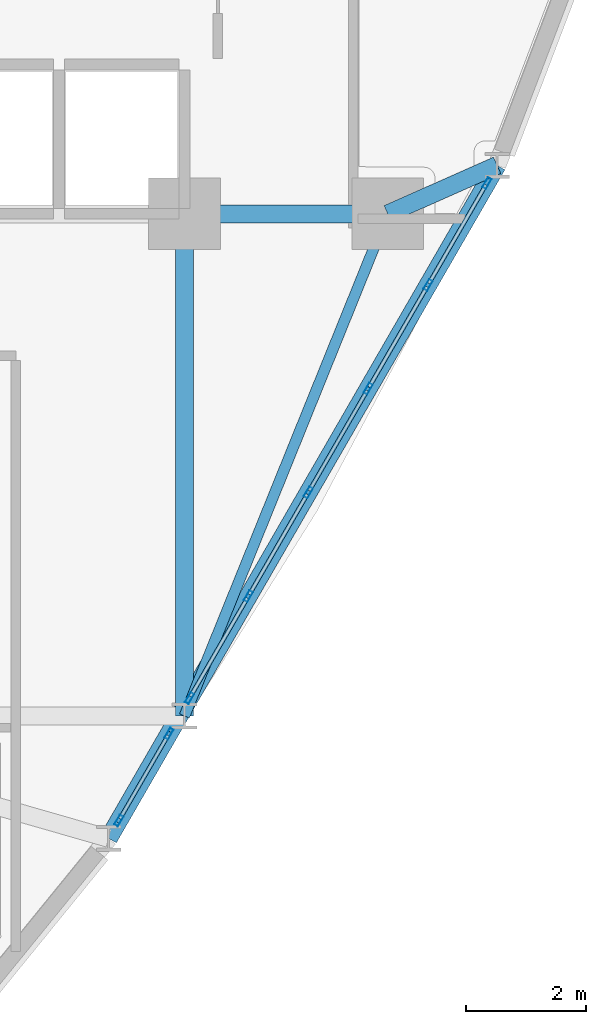
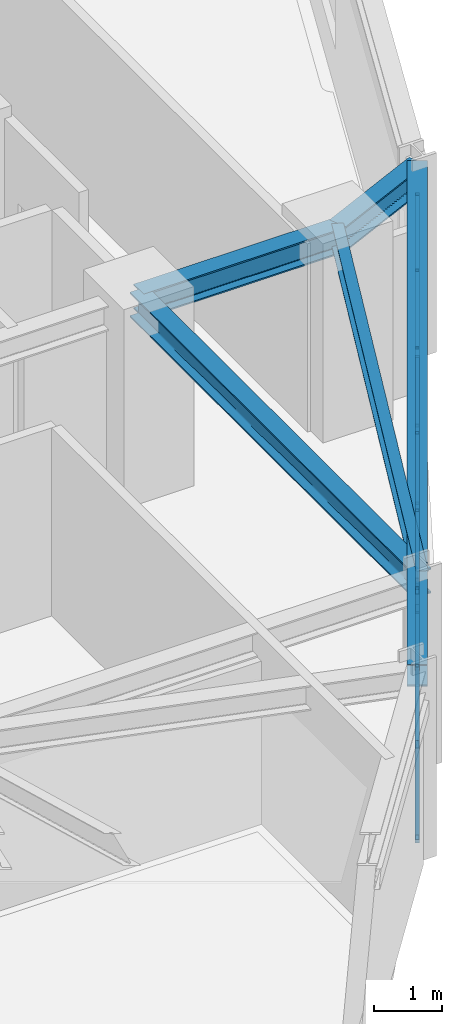
# One storey, part 6 of 15: 22 members, 5 beams, 2 elements without a shape of their own.
"""IFC4 building model written with IfcOpenShell, lengths in metres."""

import ifcopenshell
import ifcopenshell.guid

model = None  # the IFC model being written
_history = None  # IfcOwnerHistory: only IFC2X3 demands one
_inside = {}  # id of a spatial element -> (the spatial element, [elements in it])
_under = {}  # id of a project, library or spatial element -> (it, [spatial elements below it])
_declared = {}  # id of a project -> (the project, [libraries it declares])
_typed = {}  # id of a type object -> (the type object, [elements of that type])
_made_of = {}  # id of a material, layer set ... -> (it, [elements and type objects made of it])


def new_model(schema):
    """Start an empty IFC model of exactly this schema.

    Asked for "IFC4X3", IfcOpenShell would pick the latest addendum, in which some entities
    have other attributes; the version numbers below select the first issue.
    IFC2X3 requires an IfcOwnerHistory on every rooted entity: one is made here for all.
    """
    global model, _history
    if schema == "IFC4X3":
        model = ifcopenshell.file(schema_version=(4, 3, 0, 0))
    else:
        model = ifcopenshell.file(schema=schema)
    _inside.clear()
    _under.clear()
    _declared.clear()
    _typed.clear()
    _made_of.clear()
    _history = None
    if model.schema == "IFC2X3":
        org = make("IfcOrganization", Name="unknown")
        user = make(
            "IfcPersonAndOrganization",
            ThePerson=make("IfcPerson", FamilyName="unknown"),
            TheOrganization=org,
        )
        app = make(
            "IfcApplication",
            ApplicationDeveloper=org,
            Version="unknown",
            ApplicationFullName="unknown",
            ApplicationIdentifier="unknown",
        )
        _history = make(
            "IfcOwnerHistory",
            OwningUser=user,
            OwningApplication=app,
            ChangeAction="ADDED",
            CreationDate=0,
        )
    return model


def make(cls, **values):
    """One entity of the class cls with the attributes given. An attribute that is None is left unset."""
    return model.create_entity(
        cls, **{name: value for name, value in values.items() if value is not None}
    )


def rooted(cls, **values):
    """An entity with a GlobalId (a new one), such as an element, a storey or a relation."""
    return make(cls, GlobalId=ifcopenshell.guid.new(), OwnerHistory=_history, **values)


def si_unit(unit_type, name, prefix=None):
    """IfcSIUnit, for example si_unit("LENGTHUNIT", "METRE", prefix="MILLI")."""
    return make("IfcSIUnit", UnitType=unit_type, Prefix=prefix, Name=name)


def derived_unit(unit_type, elements):
    """IfcDerivedUnit: a product of units, each with its exponent."""
    return make(
        "IfcDerivedUnit",
        Elements=[
            make("IfcDerivedUnitElement", Unit=unit, Exponent=power)
            for unit, power in elements
        ],
        UnitType=unit_type,
    )


def assignment(units):
    """IfcUnitAssignment: the units of a project."""
    return None if units is None else make("IfcUnitAssignment", Units=units)


def point(xyz):
    """IfcCartesianPoint."""
    return None if xyz is None else make("IfcCartesianPoint", Coordinates=xyz)


def direction(xyz):
    """IfcDirection."""
    return None if xyz is None else make("IfcDirection", DirectionRatios=xyz)


def frame(location, z_axis=None, x_axis=None):
    """IfcAxis2Placement3D, a coordinate frame: its origin and axes. An axis left out is left unset."""
    return make(
        "IfcAxis2Placement3D",
        Location=point(location),
        Axis=direction(z_axis),
        RefDirection=direction(x_axis),
    )


def frame_2d(location, x_axis=None):
    """IfcAxis2Placement2D, a coordinate frame in the plane: its origin and x axis."""
    return make(
        "IfcAxis2Placement2D", Location=point(location), RefDirection=direction(x_axis)
    )


def origin():
    """The frame at (0, 0, 0) with its axes left unset."""
    return frame((0.0, 0.0, 0.0))


def origin_2d():
    """The frame at (0, 0) in the plane with its x axis left unset."""
    return frame_2d((0.0, 0.0))


def place(relative_to, where):
    """IfcLocalPlacement: puts the frame where relative to a parent placement (None: the world)."""
    return make(
        "IfcLocalPlacement", PlacementRelTo=relative_to, RelativePlacement=where
    )


def context(
    kind, dimensions, precision=None, world=None, true_north=None, identifier=None
):
    """IfcGeometricRepresentationContext, for example the 3D "Model" context."""
    return make(
        "IfcGeometricRepresentationContext",
        ContextIdentifier=identifier,
        ContextType=kind,
        CoordinateSpaceDimension=dimensions,
        Precision=precision,
        WorldCoordinateSystem=world,
        TrueNorth=true_north,
    )


def subcontext(parent, identifier, kind, view, scale=None):
    """IfcGeometricRepresentationSubContext, for example "Body" below "Model"."""
    return make(
        "IfcGeometricRepresentationSubContext",
        ContextIdentifier=identifier,
        ContextType=kind,
        ParentContext=parent,
        TargetScale=scale,
        TargetView=view,
    )


def project(units=None, contexts=None):
    """IfcProject with its units and contexts."""
    return rooted(
        "IfcProject",
        Name="project",
        RepresentationContexts=contexts,
        UnitsInContext=assignment(units),
    )


def spatial(cls, under=None, at=None, **own):
    """A site, building, storey or space (cls), placed at a placement, below another one or the project."""
    s = rooted(cls, ObjectPlacement=at, **own)
    if under is not None:
        _under.setdefault(under.id(), (under, []))[1].append(s)
    return s


def profile(cls, at=None, kind="AREA", **sizes):
    """A parametric profile (cls). Its sizes go by their IFC names, for example OverallWidth=200.0."""
    return make(cls, ProfileType=kind, Position=at, **sizes)


def hollow_rectangle(**sizes):
    """IfcRectangleHollowProfileDef."""
    return profile("IfcRectangleHollowProfileDef", **sizes)


def i_section(**sizes):
    """IfcIShapeProfileDef."""
    return profile("IfcIShapeProfileDef", **sizes)


def extrude(swept, where, along, depth):
    """IfcExtrudedAreaSolid: the profile swept, set in the frame where, extruded along a direction by depth."""
    return make(
        "IfcExtrudedAreaSolid",
        SweptArea=swept,
        Position=where,
        ExtrudedDirection=direction(along),
        Depth=depth,
    )


def shape(context_of_items, identifier, shape_type, items):
    """IfcShapeRepresentation: the items that make up one representation, for example the "Body"."""
    return make(
        "IfcShapeRepresentation",
        ContextOfItems=context_of_items,
        RepresentationIdentifier=identifier,
        RepresentationType=shape_type,
        Items=items,
    )


def source(mapping_origin, context_of_items, identifier, shape_type, items):
    """IfcRepresentationMap: a shape defined once, which mapped items show again and again."""
    return make(
        "IfcRepresentationMap",
        MappingOrigin=mapping_origin,
        MappedRepresentation=shape(context_of_items, identifier, shape_type, items),
    )


def transform(
    local_origin,
    x_axis=None,
    y_axis=None,
    z_axis=None,
    scale=None,
    scale2=None,
    scale3=None,
    uniform=True,
):
    """IfcCartesianTransformationOperator3D, or its non-uniform kind. x_axis, y_axis, z_axis: its Axis1, 2, 3."""
    if uniform:
        return make(
            "IfcCartesianTransformationOperator3D",
            Axis1=direction(x_axis),
            Axis2=direction(y_axis),
            LocalOrigin=point(local_origin),
            Scale=scale,
            Axis3=direction(z_axis),
        )
    return make(
        "IfcCartesianTransformationOperator3DnonUniform",
        Axis1=direction(x_axis),
        Axis2=direction(y_axis),
        LocalOrigin=point(local_origin),
        Scale=scale,
        Axis3=direction(z_axis),
        Scale2=scale2,
        Scale3=scale3,
    )


def mapped(mapping_source, mapping_target):
    """IfcMappedItem: shows the shape of a source again, moved by a transform."""
    return make(
        "IfcMappedItem", MappingSource=mapping_source, MappingTarget=mapping_target
    )


def material(Name=None, Category=None):
    """IfcMaterial."""
    return make("IfcMaterial", Name=Name, Category=Category)


def layer(
    of_material, thickness, ventilated=None, Name=None, Category=None, Priority=None
):
    """IfcMaterialLayer: one layer of a wall or slab, of a material (None: an air gap)."""
    return make(
        "IfcMaterialLayer",
        Material=of_material,
        LayerThickness=thickness,
        IsVentilated=ventilated,
        Name=Name,
        Category=Category,
        Priority=Priority,
    )


def layer_set(layers, Name=None):
    """IfcMaterialLayerSet."""
    return make("IfcMaterialLayerSet", MaterialLayers=layers, LayerSetName=Name)


def material_profile(
    of_material, cross_section, Name=None, Category=None, Priority=None
):
    """IfcMaterialProfile: a cross section and its material."""
    return make(
        "IfcMaterialProfile",
        Name=Name,
        Material=of_material,
        Profile=cross_section,
        Priority=Priority,
        Category=Category,
    )


def profile_set(profiles, Name=None, composite=None):
    """IfcMaterialProfileSet."""
    return make(
        "IfcMaterialProfileSet",
        Name=Name,
        MaterialProfiles=profiles,
        CompositeProfile=composite,
    )


def made_of(thing, what):
    """Note that an element or type object is made of a material, layer set ...; save() writes the relation."""
    if what is not None:
        _made_of.setdefault(what.id(), (what, []))[1].append(thing)
    return thing


def type_object(cls, material=None, **own):
    """A type object (cls), such as IfcWallType, which elements share."""
    return made_of(rooted(cls, **own), material)


def element(
    cls,
    number,
    at=None,
    inside=None,
    cuts=None,
    type_object=None,
    material=None,
    context=None,
    identifier="Body",
    shape_type=None,
    held_by="IfcProductDefinitionShape",
    body=None,
    shapes=None,
    **own,
):
    """One element of the class cls, such as IfcWall. Its Tag is "e" and its number.

    at: its placement. inside: the storey or other place that contains it. cuts: it is an
    opening in that element (IfcRelVoidsElement). A single representation is given by context,
    identifier, shape_type and body (its items); several are given by shapes. held_by: the class
    of the entity that holds the representations. save() writes the other relations.
    """
    e = rooted(cls, Tag="e%d" % number, ObjectPlacement=at, **own)
    if body is not None:
        shapes = [shape(context, identifier, shape_type, body)]
    if shapes is not None:
        e.Representation = make(held_by, Representations=shapes)
    if inside is not None:
        _inside.setdefault(inside.id(), (inside, []))[1].append(e)
    if cuts is not None:
        rooted(
            "IfcRelVoidsElement", RelatingBuildingElement=cuts, RelatedOpeningElement=e
        )
    if type_object is not None:
        _typed.setdefault(type_object.id(), (type_object, []))[1].append(e)
    return made_of(e, material)


def aggregate(whole, parts):
    """IfcRelAggregates: a whole, such as a stair, and the parts it consists of."""
    return rooted("IfcRelAggregates", RelatingObject=whole, RelatedObjects=parts)


def save(model, path):
    """Write the relations noted so far, then the file.

    IfcRelAggregates (storeys below a building ...), IfcRelContainedInSpatialStructure (elements
    in a storey), IfcRelDefinesByType, IfcRelAssociatesMaterial and IfcRelDeclares: one each for
    every whole, place, type object, material and project.
    """
    for whole, parts in _under.values():
        aggregate(whole, parts)
    for where, things in _inside.values():
        rooted(
            "IfcRelContainedInSpatialStructure",
            RelatedElements=things,
            RelatingStructure=where,
        )
    for kind, things in _typed.values():
        rooted("IfcRelDefinesByType", RelatedObjects=things, RelatingType=kind)
    for what, things in _made_of.values():
        rooted("IfcRelAssociatesMaterial", RelatedObjects=things, RelatingMaterial=what)
    for by, libraries in _declared.values():
        rooted("IfcRelDeclares", RelatingContext=by, RelatedDefinitions=libraries)
    model.write(path)


model = new_model("IFC4")

# Units and contexts
model_context = context("Model", 3, precision=1e-05, world=origin(), true_north=direction((0.0, 1.0)))
body_context = subcontext(model_context, "Body", "Model", "MODEL_VIEW")
ifc_project = project(units=[si_unit("LENGTHUNIT", "METRE"), si_unit("AREAUNIT", "SQUARE_METRE"), si_unit("VOLUMEUNIT", "CUBIC_METRE"), si_unit("PLANEANGLEUNIT", "RADIAN"), si_unit("MASSUNIT", "GRAM", prefix="KILO"), derived_unit("THERMALTRANSMITTANCEUNIT", [(si_unit("POWERUNIT", "WATT"), 1), (si_unit("LENGTHUNIT", "METRE"), -2), (si_unit("THERMODYNAMICTEMPERATUREUNIT", "KELVIN"), -1)])], contexts=[model_context])

# Site, building, storey
site_placement = place(None, origin())
site = spatial("IfcSite", under=ifc_project, at=site_placement, CompositionType="ELEMENT")
building_placement = place(site_placement, origin())
building = spatial("IfcBuilding", under=site, at=building_placement, Name="Korsvarv Bourse and Concert Hall", CompositionType="ELEMENT")
storey_placement = place(building_placement, frame((0.0, 0.0, 150.60009765625)))
storey = spatial("IfcBuildingStorey", under=building, at=storey_placement, Name="L38", CompositionType="ELEMENT", Elevation=150.60009765625)

# Beams
ifc_material_1 = material(Name="Steel S355", Category="steel")
ifc_material_profile_1 = material_profile(ifc_material_1, i_section(OverallWidth=0.179931640625, OverallDepth=0.39990234375, WebThickness=0.008544921875, FlangeThickness=0.013427734375, FilletRadius=0.02099609375, at=origin_2d()), Name="IPE 400")
ifc_profile_set_1 = profile_set([ifc_material_profile_1], Name="Steel S355")
beam_type_1 = type_object("IfcBeamType", Name="BM-IPE400", PredefinedType="JOIST", material=ifc_profile_set_1)
shared_shape_1 = source(origin(), body_context, "Body", "SweptSolid", [
    extrude(i_section(OverallWidth=0.179931640625, OverallDepth=0.39990234375, WebThickness=0.008544921875, FlangeThickness=0.013427734375, FilletRadius=0.02099609375, at=origin_2d()), origin(), (0.0, 0.0, 1.0), 9.06201171875),
])
beam_1_placement = place(storey_placement, frame((47.800048828125, 32.39990234375, 3.199951171875), z_axis=(-0.375210394783, -0.926939674222, 0.0), x_axis=(0.926939674222, -0.375210394783, 0.0)))
element("IfcBeam", 1, at=beam_1_placement, inside=storey, type_object=beam_type_1, Name="L38 beam J-05", PredefinedType="JOIST", context=body_context, shape_type="MappedRepresentation", body=[
    mapped(shared_shape_1, transform((0.0, 0.0, 0.0), scale=1.0)),
])
ifc_material_profile_2 = material_profile(ifc_material_1, i_section(OverallWidth=0.300048828125, OverallDepth=0.449951171875, WebThickness=0.013916015625, FlangeThickness=0.02587890625, FilletRadius=0.02099609375, at=origin_2d()), Name="HEB 450")
ifc_profile_set_2 = profile_set([ifc_material_profile_2], Name="Steel S355")
beam_type_2 = type_object("IfcBeamType", Name="BM-HEB450", PredefinedType="SPANDREL", material=ifc_profile_set_2)
shared_shape_2 = source(origin(), body_context, "Body", "SweptSolid", [
    extrude(i_section(OverallWidth=0.300048828125, OverallDepth=0.449951171875, WebThickness=0.013916015625, FlangeThickness=0.02587890625, FilletRadius=0.02099609375, at=origin_2d()), origin(), (0.0, 0.0, 1.0), 3.400146484375),
])
beam_2_placement = place(storey_placement, frame((44.39990234375, 32.39990234375, 3.1748046875), z_axis=(1.0, 0.0, 0.0), x_axis=(0.0, 1.0, 0.0)))
element("IfcBeam", 2, at=beam_2_placement, inside=storey, type_object=beam_type_2, Name="L38 beam B-08", PredefinedType="SPANDREL", context=body_context, shape_type="MappedRepresentation", body=[
    mapped(shared_shape_2, transform((0.0, 0.0, 0.0), scale=1.0)),
])
shared_shape_3 = source(origin(), body_context, "Body", "SweptSolid", [
    extrude(i_section(OverallWidth=0.300048828125, OverallDepth=0.449951171875, WebThickness=0.013916015625, FlangeThickness=0.02587890625, FilletRadius=0.02099609375, at=origin_2d()), origin(), (0.0, 0.0, 1.0), 8.39990234375),
])
beam_3_placement = place(storey_placement, frame((44.39990234375, 24.0, 3.1748046875), z_axis=(0.0, 1.0, 0.0), x_axis=(-1.0, 0.0, 0.0)))
element("IfcBeam", 3, at=beam_3_placement, inside=storey, type_object=beam_type_2, Name="L38 beam B-08", PredefinedType="SPANDREL", context=body_context, shape_type="MappedRepresentation", body=[
    mapped(shared_shape_3, transform((0.0, 0.0, 0.0), scale=1.0)),
])
ifc_material_profile_3 = material_profile(ifc_material_1, i_section(OverallWidth=0.300048828125, OverallDepth=0.39990234375, WebThickness=0.013427734375, FlangeThickness=0.02392578125, FilletRadius=0.02099609375, at=origin_2d()), Name="HEB 400")
ifc_profile_set_3 = profile_set([ifc_material_profile_3], Name="Steel S355")
beam_type_3 = type_object("IfcBeamType", Name="BM-HEB400", PredefinedType="SPANDREL", material=ifc_profile_set_3)
shared_shape_4 = source(origin(), body_context, "Body", "SweptSolid", [
    extrude(i_section(OverallWidth=0.300048828125, OverallDepth=0.39990234375, WebThickness=0.013427734375, FlangeThickness=0.02392578125, FilletRadius=0.02099609375, at=origin_2d()), origin(), (0.0, 0.0, 1.0), 13.001708984375),
])
beam_4_placement = place(storey_placement, frame((43.13037109375, 21.951904296875, 3.199951171875), z_axis=(0.499994445327, 0.866028610752, 0.0), x_axis=(-0.866028610752, 0.499994445327, 0.0)))
element("IfcBeam", 4, at=beam_4_placement, inside=storey, type_object=beam_type_3, Name="L38 beam B-09", PredefinedType="SPANDREL", context=body_context, shape_type="MappedRepresentation", body=[
    mapped(shared_shape_4, transform((0.0, 0.0, 0.0), scale=1.0)),
])
shared_shape_5 = source(origin(), body_context, "Body", "SweptSolid", [
    extrude(i_section(OverallWidth=0.300048828125, OverallDepth=0.449951171875, WebThickness=0.013916015625, FlangeThickness=0.02587890625, FilletRadius=0.02099609375, at=origin_2d()), origin(), (0.0, 0.0, 1.0), 2.0029296875),
])
beam_5_placement = place(storey_placement, frame((49.631103515625, 33.211669921875, 3.1748046875), z_axis=(-0.914188139756, -0.405290075292, 0.0), x_axis=(0.405290075292, -0.914188139756, 0.0)))
element("IfcBeam", 5, at=beam_5_placement, inside=storey, type_object=beam_type_2, Name="L38 beam B-08", PredefinedType="SPANDREL", context=body_context, shape_type="MappedRepresentation", body=[
    mapped(shared_shape_5, transform((0.0, 0.0, 0.0), scale=1.0)),
])

# Curtain wall, members
ifc_material_2 = material(Name="Anodised aluminium and triple low-E glazing", Category="glass")
ifc_layer = layer(ifc_material_2, 0.2099609375)
ifc_layer_set = layer_set([ifc_layer], Name="Anodised aluminium and triple low-E glazing")
curtain_wall_type = type_object("IfcCurtainWallType", Name="CW-SYS-2", PredefinedType="NOTDEFINED", material=ifc_layer_set)
curtain_wall_1_placement = place(storey_placement, origin())
curtain_wall_1 = element("IfcCurtainWall", 6, at=curtain_wall_1_placement, inside=storey, type_object=curtain_wall_type, Name="L38 CW2 curtain wall CW-L38-F11-1", PredefinedType="NOTDEFINED")
ifc_material_3 = material(Name="Extruded aluminium EN AW-6063 T66", Category="aluminium")
ifc_material_profile_4 = material_profile(ifc_material_3, hollow_rectangle(XDim=0.070068359375, YDim=0.18994140625, WallThickness=0.0048828125, at=origin_2d()), Name="ALU-M 70x190")
ifc_profile_set_4 = profile_set([ifc_material_profile_4], Name="Extruded aluminium EN AW-6063 T66")
member_type_1 = type_object("IfcMemberType", Name="CWM-190", PredefinedType="MULLION", material=ifc_profile_set_4)
shared_shape_6 = source(origin(), body_context, "Body", "SweptSolid", [
    extrude(hollow_rectangle(XDim=0.070068359375, YDim=0.18994140625, WallThickness=0.0048828125, at=origin_2d()), origin(), (0.0, 0.0, 1.0), 3.0),
])
member_1_placement = place(storey_placement, frame((43.30224609375, 22.249755859375, 0.0), z_axis=(0.0, 0.0, 1.0), x_axis=(-0.866022601331, 0.500004853961, 0.0)))
member_1 = element("IfcMember", 7, at=member_1_placement, type_object=member_type_1, Name="CW2 mullion 1", PredefinedType="MULLION", context=body_context, shape_type="MappedRepresentation", body=[
    mapped(shared_shape_6, transform((0.0, 0.0, 0.0), scale=1.0)),
])
member_2_placement = place(storey_placement, frame((44.140869140625, 23.7021484375, 0.0), z_axis=(0.0, 0.0, 1.0), x_axis=(-0.866022601331, 0.500004853961, 0.0)))
member_2 = element("IfcMember", 8, at=member_2_placement, type_object=member_type_1, Name="CW2 mullion 2", PredefinedType="MULLION", context=body_context, shape_type="MappedRepresentation", body=[
    mapped(shared_shape_6, transform((0.0, 0.0, 0.0), scale=1.0)),
])

curtain_wall_2_placement = place(storey_placement, origin())
curtain_wall_2 = element("IfcCurtainWall", 9, at=curtain_wall_2_placement, inside=storey, type_object=curtain_wall_type, Name="L38 CW2 curtain wall CW-L38-F11-2", PredefinedType="NOTDEFINED")
member_3_placement = place(storey_placement, frame((44.48486328125, 24.2978515625, 0.0), z_axis=(0.0, 0.0, 1.0), x_axis=(-0.866022695876, 0.500004690206, 0.0)))
member_3 = element("IfcMember", 10, at=member_3_placement, type_object=member_type_1, Name="CW2 mullion 1", PredefinedType="MULLION", context=body_context, shape_type="MappedRepresentation", body=[
    mapped(shared_shape_6, transform((0.0, 0.0, 0.0), scale=1.0)),
])
member_4_placement = place(storey_placement, frame((45.46923828125, 26.0029296875, 0.0), z_axis=(0.0, 0.0, 1.0), x_axis=(-0.866022695876, 0.500004690206, 0.0)))
member_4 = element("IfcMember", 11, at=member_4_placement, type_object=member_type_1, Name="CW2 mullion 2", PredefinedType="MULLION", context=body_context, shape_type="MappedRepresentation", body=[
    mapped(shared_shape_6, transform((0.0, 0.0, 0.0), scale=1.0)),
])
member_5_placement = place(storey_placement, frame((46.47119140625, 27.738037109375, 0.0), z_axis=(0.0, 0.0, 1.0), x_axis=(-0.866022695876, 0.500004690206, 0.0)))
member_5 = element("IfcMember", 12, at=member_5_placement, type_object=member_type_1, Name="CW2 mullion 3", PredefinedType="MULLION", context=body_context, shape_type="MappedRepresentation", body=[
    mapped(shared_shape_6, transform((0.0, 0.0, 0.0), scale=1.0)),
])
member_6_placement = place(storey_placement, frame((47.472900390625, 29.473388671875, 0.0), z_axis=(0.0, 0.0, 1.0), x_axis=(-0.866022695876, 0.500004690206, 0.0)))
member_6 = element("IfcMember", 13, at=member_6_placement, type_object=member_type_1, Name="CW2 mullion 4", PredefinedType="MULLION", context=body_context, shape_type="MappedRepresentation", body=[
    mapped(shared_shape_6, transform((0.0, 0.0, 0.0), scale=1.0)),
])
member_7_placement = place(storey_placement, frame((48.474853515625, 31.208740234375, 0.0), z_axis=(0.0, 0.0, 1.0), x_axis=(-0.866022695876, 0.500004690206, 0.0)))
member_7 = element("IfcMember", 14, at=member_7_placement, type_object=member_type_1, Name="CW2 mullion 5", PredefinedType="MULLION", context=body_context, shape_type="MappedRepresentation", body=[
    mapped(shared_shape_6, transform((0.0, 0.0, 0.0), scale=1.0)),
])
member_8_placement = place(storey_placement, frame((49.459228515625, 32.913818359375, 0.0), z_axis=(0.0, 0.0, 1.0), x_axis=(-0.866022695876, 0.500004690206, 0.0)))
member_8 = element("IfcMember", 15, at=member_8_placement, type_object=member_type_1, Name="CW2 mullion 6", PredefinedType="MULLION", context=body_context, shape_type="MappedRepresentation", body=[
    mapped(shared_shape_6, transform((0.0, 0.0, 0.0), scale=1.0)),
])
ifc_material_profile_5 = material_profile(ifc_material_3, hollow_rectangle(XDim=0.06494140625, YDim=0.139892578125, WallThickness=0.00390625, at=origin_2d()), Name="ALU-T 65x140")
ifc_profile_set_5 = profile_set([ifc_material_profile_5], Name="Extruded aluminium EN AW-6063 T66")
member_type_2 = type_object("IfcMemberType", Name="CWT-140", PredefinedType="USERDEFINED", material=ifc_profile_set_5)
shared_shape_7 = source(origin(), body_context, "Body", "SweptSolid", [
    extrude(hollow_rectangle(XDim=0.06494140625, YDim=0.139892578125, WallThickness=0.00390625, at=origin_2d()), origin(), (0.0, 0.0, 1.0), 1.898681640625),
])
member_9_placement = place(storey_placement, frame((44.502197265625, 24.328125, 0.032470703125), z_axis=(0.500052647041, 0.865995005868, 0.0), x_axis=(-0.865995005868, 0.500052647041, 0.0)))
member_9 = element("IfcMember", 16, at=member_9_placement, type_object=member_type_2, Name="CW2 transom 1.1", ObjectType="TRANSOM", PredefinedType="USERDEFINED", context=body_context, shape_type="MappedRepresentation", body=[
    mapped(shared_shape_7, transform((0.0, 0.0, 0.0), scale=1.0)),
])
member_10_placement = place(storey_placement, frame((44.502197265625, 24.328125, 2.96728515625), z_axis=(0.500052647041, 0.865995005868, 0.0), x_axis=(-0.865995005868, 0.500052647041, 0.0)))
member_10 = element("IfcMember", 17, at=member_10_placement, type_object=member_type_2, Name="CW2 transom 1.2", ObjectType="TRANSOM", PredefinedType="USERDEFINED", context=body_context, shape_type="MappedRepresentation", body=[
    mapped(shared_shape_7, transform((0.0, 0.0, 0.0), scale=1.0)),
])
shared_shape_8 = source(origin(), body_context, "Body", "SweptSolid", [
    extrude(hollow_rectangle(XDim=0.06494140625, YDim=0.139892578125, WallThickness=0.00390625, at=origin_2d()), origin(), (0.0, 0.0, 1.0), 1.89892578125),
])
member_11_placement = place(storey_placement, frame((48.492431640625, 31.239013671875, 0.032470703125), z_axis=(0.499996970966, 0.866027152591, 0.0), x_axis=(-0.866027152591, 0.499996970966, 0.0)))
member_11 = element("IfcMember", 18, at=member_11_placement, type_object=member_type_2, Name="CW2 transom 5.1", ObjectType="TRANSOM", PredefinedType="USERDEFINED", context=body_context, shape_type="MappedRepresentation", body=[
    mapped(shared_shape_8, transform((0.0, 0.0, 0.0), scale=1.0)),
])
member_12_placement = place(storey_placement, frame((48.492431640625, 31.239013671875, 2.96728515625), z_axis=(0.499996970966, 0.866027152591, 0.0), x_axis=(-0.866027152591, 0.499996970966, 0.0)))
member_12 = element("IfcMember", 19, at=member_12_placement, type_object=member_type_2, Name="CW2 transom 5.2", ObjectType="TRANSOM", PredefinedType="USERDEFINED", context=body_context, shape_type="MappedRepresentation", body=[
    mapped(shared_shape_8, transform((0.0, 0.0, 0.0), scale=1.0)),
])

# Member
shared_shape_9 = source(origin(), body_context, "Body", "SweptSolid", [
    extrude(hollow_rectangle(XDim=0.06494140625, YDim=0.139892578125, WallThickness=0.00390625, at=origin_2d()), origin(), (0.0, 0.0, 1.0), 1.607177734375),
])
member_13_placement = place(storey_placement, frame((43.31982421875, 22.280029296875, 0.032470703125), z_axis=(0.499946007064, 0.866056574376, 0.0), x_axis=(-0.866056574376, 0.499946007064, 0.0)))
member_13 = element("IfcMember", 20, at=member_13_placement, type_object=member_type_2, Name="CW2 transom 1.1", ObjectType="TRANSOM", PredefinedType="USERDEFINED", context=body_context, shape_type="MappedRepresentation", body=[
    mapped(shared_shape_9, transform((0.0, 0.0, 0.0), scale=1.0)),
])

member_14_placement = place(storey_placement, frame((43.31982421875, 22.280029296875, 2.96728515625), z_axis=(0.499946007064, 0.866056574376, 0.0), x_axis=(-0.866056574376, 0.499946007064, 0.0)))
member_14 = element("IfcMember", 21, at=member_14_placement, type_object=member_type_2, Name="CW2 transom 1.2", ObjectType="TRANSOM", PredefinedType="USERDEFINED", context=body_context, shape_type="MappedRepresentation", body=[
    mapped(shared_shape_9, transform((0.0, 0.0, 0.0), scale=1.0)),
])

shared_shape_10 = source(origin(), body_context, "Body", "SweptSolid", [
    extrude(hollow_rectangle(XDim=0.06494140625, YDim=0.139892578125, WallThickness=0.00390625, at=origin_2d()), origin(), (0.0, 0.0, 1.0), 1.93359375),
])
member_15_placement = place(storey_placement, frame((45.48681640625, 26.033203125, 0.032470703125), z_axis=(0.499995691662, 0.86602789119, 0.0), x_axis=(-0.86602789119, 0.499995691662, 0.0)))
member_15 = element("IfcMember", 22, at=member_15_placement, type_object=member_type_2, Name="CW2 transom 2.1", ObjectType="TRANSOM", PredefinedType="USERDEFINED", context=body_context, shape_type="MappedRepresentation", body=[
    mapped(shared_shape_10, transform((0.0, 0.0, 0.0), scale=1.0)),
])

member_16_placement = place(storey_placement, frame((45.48681640625, 26.033203125, 2.96728515625), z_axis=(0.499995691662, 0.86602789119, 0.0), x_axis=(-0.86602789119, 0.499995691662, 0.0)))
member_16 = element("IfcMember", 23, at=member_16_placement, type_object=member_type_2, Name="CW2 transom 2.2", ObjectType="TRANSOM", PredefinedType="USERDEFINED", context=body_context, shape_type="MappedRepresentation", body=[
    mapped(shared_shape_10, transform((0.0, 0.0, 0.0), scale=1.0)),
])

shared_shape_11 = source(origin(), body_context, "Body", "SweptSolid", [
    extrude(hollow_rectangle(XDim=0.06494140625, YDim=0.139892578125, WallThickness=0.00390625, at=origin_2d()), origin(), (0.0, 0.0, 1.0), 1.933837890625),
])
member_17_placement = place(storey_placement, frame((46.488525390625, 27.7685546875, 0.032470703125), z_axis=(0.500090379393, 0.865973216929, 0.0), x_axis=(-0.865973216929, 0.500090379393, 0.0)))
member_17 = element("IfcMember", 24, at=member_17_placement, type_object=member_type_2, Name="CW2 transom 3.1", ObjectType="TRANSOM", PredefinedType="USERDEFINED", context=body_context, shape_type="MappedRepresentation", body=[
    mapped(shared_shape_11, transform((0.0, 0.0, 0.0), scale=1.0)),
])

member_18_placement = place(storey_placement, frame((46.488525390625, 27.7685546875, 2.96728515625), z_axis=(0.500090379393, 0.865973216929, 0.0), x_axis=(-0.865973216929, 0.500090379393, 0.0)))
member_18 = element("IfcMember", 25, at=member_18_placement, type_object=member_type_2, Name="CW2 transom 3.2", ObjectType="TRANSOM", PredefinedType="USERDEFINED", context=body_context, shape_type="MappedRepresentation", body=[
    mapped(shared_shape_11, transform((0.0, 0.0, 0.0), scale=1.0)),
])

member_19_placement = place(storey_placement, frame((47.490478515625, 29.503662109375, 0.032470703125), z_axis=(0.500035708388, 0.866004786555, 0.0), x_axis=(-0.866004786555, 0.500035708388, 0.0)))
member_19 = element("IfcMember", 26, at=member_19_placement, type_object=member_type_2, Name="CW2 transom 4.1", ObjectType="TRANSOM", PredefinedType="USERDEFINED", context=body_context, shape_type="MappedRepresentation", body=[
    mapped(shared_shape_11, transform((0.0, 0.0, 0.0), scale=1.0)),
])

member_20_placement = place(storey_placement, frame((47.490478515625, 29.503662109375, 2.96728515625), z_axis=(0.500035708388, 0.866004786555, 0.0), x_axis=(-0.866004786555, 0.500035708388, 0.0)))
member_20 = element("IfcMember", 27, at=member_20_placement, type_object=member_type_2, Name="CW2 transom 4.2", ObjectType="TRANSOM", PredefinedType="USERDEFINED", context=body_context, shape_type="MappedRepresentation", body=[
    mapped(shared_shape_11, transform((0.0, 0.0, 0.0), scale=1.0)),
])

ifc_material_profile_6 = material_profile(ifc_material_3, hollow_rectangle(XDim=0.06494140625, YDim=0.1650390625, WallThickness=0.0048828125, at=origin_2d()), Name="ALU-M 65x165")
ifc_profile_set_6 = profile_set([ifc_material_profile_6], Name="Extruded aluminium EN AW-6063 T66")
member_type_3 = type_object("IfcMemberType", Name="CWM-165", PredefinedType="MULLION", material=ifc_profile_set_6)
shared_shape_12 = source(origin(), body_context, "Body", "SweptSolid", [
    extrude(hollow_rectangle(XDim=0.06494140625, YDim=0.1650390625, WallThickness=0.0048828125, at=origin_2d()), origin(), (0.0, 0.0, 1.0), 3.289306640625),
])
member_21_placement = place(storey_placement, frame((43.31982421875, 22.280029296875, 0.06494140625), z_axis=(0.24427278462, 0.423153796755, 0.872508837196), x_axis=(-0.866056574376, 0.499946007064, 0.0)))
member_21 = element("IfcMember", 28, at=member_21_placement, type_object=member_type_3, Name="CW2 diagonal mullion 1", PredefinedType="MULLION", context=body_context, shape_type="MappedRepresentation", body=[
    mapped(shared_shape_12, transform((0.0, 0.0, 0.0), scale=1.0)),
])

aggregate(curtain_wall_1, [member_1, member_2, member_13, member_14, member_21])

shared_shape_13 = source(origin(), body_context, "Body", "SweptSolid", [
    extrude(hollow_rectangle(XDim=0.06494140625, YDim=0.1650390625, WallThickness=0.0048828125, at=origin_2d()), origin(), (0.0, 0.0, 1.0), 3.46044921875),
])
member_22_placement = place(storey_placement, frame((46.488525390625, 27.7685546875, 0.06494140625), z_axis=(0.279446194684, 0.483898371457, 0.829308260165), x_axis=(-0.865973216929, 0.500090379393, 0.0)))
member_22 = element("IfcMember", 29, at=member_22_placement, type_object=member_type_3, Name="CW2 diagonal mullion 3", PredefinedType="MULLION", context=body_context, shape_type="MappedRepresentation", body=[
    mapped(shared_shape_13, transform((0.0, 0.0, 0.0), scale=1.0)),
])

aggregate(curtain_wall_2, [member_3, member_4, member_5, member_6, member_7, member_8, member_9, member_10, member_15, member_16, member_17, member_18, member_22, member_19, member_20, member_11, member_12])

save(model, "model.ifc")
